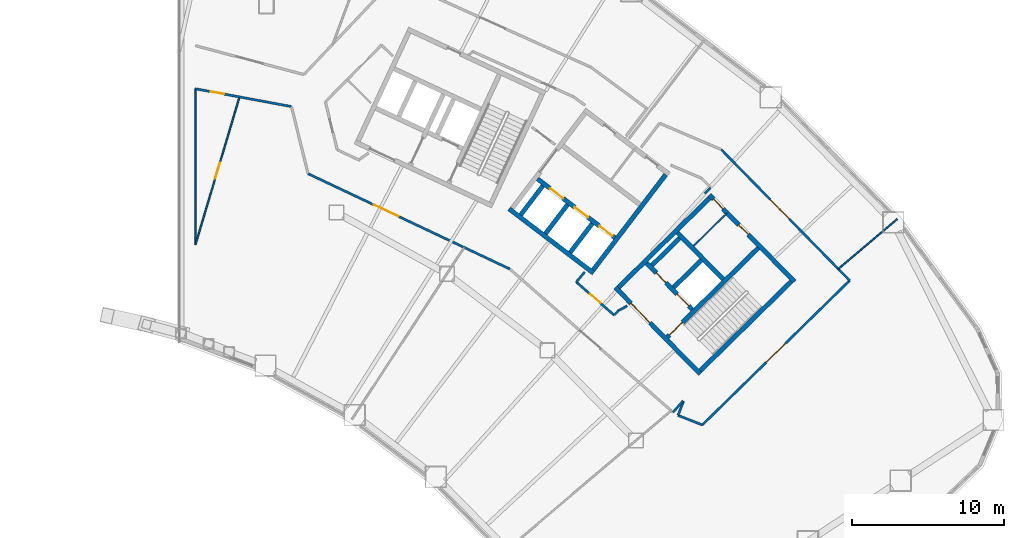
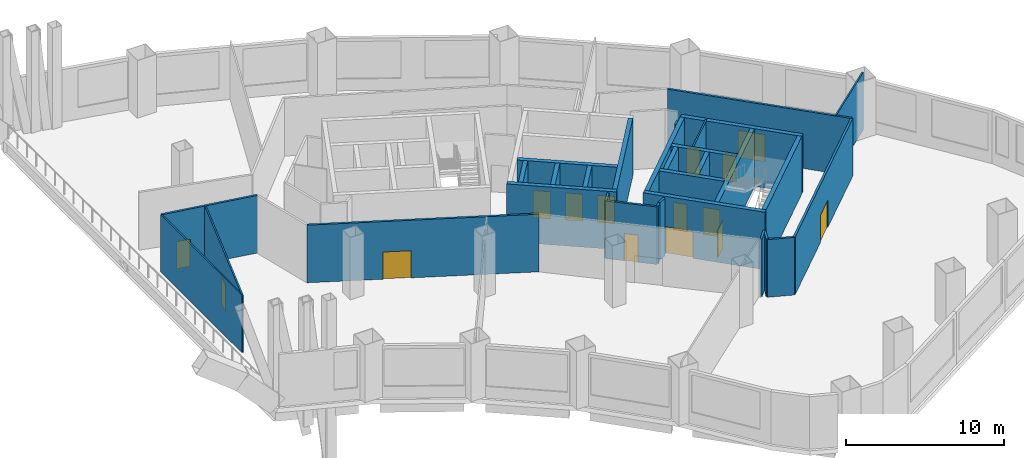
# One storey, part 9 of 14: 31 walls, 15 doors, 15 openings.
"""IFC4 building model written with IfcOpenShell, lengths in metres."""

import ifcopenshell
import ifcopenshell.guid

model = None  # the IFC model being written
_history = None  # IfcOwnerHistory: only IFC2X3 demands one
_inside = {}  # id of a spatial element -> (the spatial element, [elements in it])
_under = {}  # id of a project, library or spatial element -> (it, [spatial elements below it])
_declared = {}  # id of a project -> (the project, [libraries it declares])
_typed = {}  # id of a type object -> (the type object, [elements of that type])
_made_of = {}  # id of a material, layer set ... -> (it, [elements and type objects made of it])


def new_model(schema):
    """Start an empty IFC model of exactly this schema.

    Asked for "IFC4X3", IfcOpenShell would pick the latest addendum, in which some entities
    have other attributes; the version numbers below select the first issue.
    IFC2X3 requires an IfcOwnerHistory on every rooted entity: one is made here for all.
    """
    global model, _history
    if schema == "IFC4X3":
        model = ifcopenshell.file(schema_version=(4, 3, 0, 0))
    else:
        model = ifcopenshell.file(schema=schema)
    _inside.clear()
    _under.clear()
    _declared.clear()
    _typed.clear()
    _made_of.clear()
    _history = None
    if model.schema == "IFC2X3":
        org = make("IfcOrganization", Name="unknown")
        user = make(
            "IfcPersonAndOrganization",
            ThePerson=make("IfcPerson", FamilyName="unknown"),
            TheOrganization=org,
        )
        app = make(
            "IfcApplication",
            ApplicationDeveloper=org,
            Version="unknown",
            ApplicationFullName="unknown",
            ApplicationIdentifier="unknown",
        )
        _history = make(
            "IfcOwnerHistory",
            OwningUser=user,
            OwningApplication=app,
            ChangeAction="ADDED",
            CreationDate=0,
        )
    return model


def make(cls, **values):
    """One entity of the class cls with the attributes given. An attribute that is None is left unset."""
    return model.create_entity(
        cls, **{name: value for name, value in values.items() if value is not None}
    )


def rooted(cls, **values):
    """An entity with a GlobalId (a new one), such as an element, a storey or a relation."""
    return make(cls, GlobalId=ifcopenshell.guid.new(), OwnerHistory=_history, **values)


def si_unit(unit_type, name, prefix=None):
    """IfcSIUnit, for example si_unit("LENGTHUNIT", "METRE", prefix="MILLI")."""
    return make("IfcSIUnit", UnitType=unit_type, Prefix=prefix, Name=name)


def assignment(units):
    """IfcUnitAssignment: the units of a project."""
    return None if units is None else make("IfcUnitAssignment", Units=units)


def point(xyz):
    """IfcCartesianPoint."""
    return None if xyz is None else make("IfcCartesianPoint", Coordinates=xyz)


def direction(xyz):
    """IfcDirection."""
    return None if xyz is None else make("IfcDirection", DirectionRatios=xyz)


def frame(location, z_axis=None, x_axis=None):
    """IfcAxis2Placement3D, a coordinate frame: its origin and axes. An axis left out is left unset."""
    return make(
        "IfcAxis2Placement3D",
        Location=point(location),
        Axis=direction(z_axis),
        RefDirection=direction(x_axis),
    )


def frame_2d(location, x_axis=None):
    """IfcAxis2Placement2D, a coordinate frame in the plane: its origin and x axis."""
    return make(
        "IfcAxis2Placement2D", Location=point(location), RefDirection=direction(x_axis)
    )


def origin():
    """The frame at (0, 0, 0) with its axes left unset."""
    return frame((0.0, 0.0, 0.0))


def place(relative_to, where):
    """IfcLocalPlacement: puts the frame where relative to a parent placement (None: the world)."""
    return make(
        "IfcLocalPlacement", PlacementRelTo=relative_to, RelativePlacement=where
    )


def context(
    kind, dimensions, precision=None, world=None, true_north=None, identifier=None
):
    """IfcGeometricRepresentationContext, for example the 3D "Model" context."""
    return make(
        "IfcGeometricRepresentationContext",
        ContextIdentifier=identifier,
        ContextType=kind,
        CoordinateSpaceDimension=dimensions,
        Precision=precision,
        WorldCoordinateSystem=world,
        TrueNorth=true_north,
    )


def subcontext(parent, identifier, kind, view, scale=None):
    """IfcGeometricRepresentationSubContext, for example "Body" below "Model"."""
    return make(
        "IfcGeometricRepresentationSubContext",
        ContextIdentifier=identifier,
        ContextType=kind,
        ParentContext=parent,
        TargetScale=scale,
        TargetView=view,
    )


def project(units=None, contexts=None):
    """IfcProject with its units and contexts."""
    return rooted(
        "IfcProject",
        Name="project",
        RepresentationContexts=contexts,
        UnitsInContext=assignment(units),
    )


def spatial(cls, under=None, at=None, **own):
    """A site, building, storey or space (cls), placed at a placement, below another one or the project."""
    s = rooted(cls, ObjectPlacement=at, **own)
    if under is not None:
        _under.setdefault(under.id(), (under, []))[1].append(s)
    return s


def profile(cls, at=None, kind="AREA", **sizes):
    """A parametric profile (cls). Its sizes go by their IFC names, for example OverallWidth=200.0."""
    return make(cls, ProfileType=kind, Position=at, **sizes)


def rectangle(**sizes):
    """IfcRectangleProfileDef."""
    return profile("IfcRectangleProfileDef", **sizes)


def extrude(swept, where, along, depth):
    """IfcExtrudedAreaSolid: the profile swept, set in the frame where, extruded along a direction by depth."""
    return make(
        "IfcExtrudedAreaSolid",
        SweptArea=swept,
        Position=where,
        ExtrudedDirection=direction(along),
        Depth=depth,
    )


def shape(context_of_items, identifier, shape_type, items):
    """IfcShapeRepresentation: the items that make up one representation, for example the "Body"."""
    return make(
        "IfcShapeRepresentation",
        ContextOfItems=context_of_items,
        RepresentationIdentifier=identifier,
        RepresentationType=shape_type,
        Items=items,
    )


def material(Name=None, Category=None):
    """IfcMaterial."""
    return make("IfcMaterial", Name=Name, Category=Category)


def layer(
    of_material, thickness, ventilated=None, Name=None, Category=None, Priority=None
):
    """IfcMaterialLayer: one layer of a wall or slab, of a material (None: an air gap)."""
    return make(
        "IfcMaterialLayer",
        Material=of_material,
        LayerThickness=thickness,
        IsVentilated=ventilated,
        Name=Name,
        Category=Category,
        Priority=Priority,
    )


def layer_set(layers, Name=None):
    """IfcMaterialLayerSet."""
    return make("IfcMaterialLayerSet", MaterialLayers=layers, LayerSetName=Name)


def made_of(thing, what):
    """Note that an element or type object is made of a material, layer set ...; save() writes the relation."""
    if what is not None:
        _made_of.setdefault(what.id(), (what, []))[1].append(thing)
    return thing


def type_object(cls, material=None, **own):
    """A type object (cls), such as IfcWallType, which elements share."""
    return made_of(rooted(cls, **own), material)


def element(
    cls,
    number,
    at=None,
    inside=None,
    cuts=None,
    type_object=None,
    material=None,
    context=None,
    identifier="Body",
    shape_type=None,
    held_by="IfcProductDefinitionShape",
    body=None,
    shapes=None,
    **own,
):
    """One element of the class cls, such as IfcWall. Its Tag is "e" and its number.

    at: its placement. inside: the storey or other place that contains it. cuts: it is an
    opening in that element (IfcRelVoidsElement). A single representation is given by context,
    identifier, shape_type and body (its items); several are given by shapes. held_by: the class
    of the entity that holds the representations. save() writes the other relations.
    """
    e = rooted(cls, Tag="e%d" % number, ObjectPlacement=at, **own)
    if body is not None:
        shapes = [shape(context, identifier, shape_type, body)]
    if shapes is not None:
        e.Representation = make(held_by, Representations=shapes)
    if inside is not None:
        _inside.setdefault(inside.id(), (inside, []))[1].append(e)
    if cuts is not None:
        rooted(
            "IfcRelVoidsElement", RelatingBuildingElement=cuts, RelatedOpeningElement=e
        )
    if type_object is not None:
        _typed.setdefault(type_object.id(), (type_object, []))[1].append(e)
    return made_of(e, material)


def fill(opening, filler):
    """IfcRelFillsElement: the door or window that sits in an opening."""
    return rooted(
        "IfcRelFillsElement",
        RelatingOpeningElement=opening,
        RelatedBuildingElement=filler,
    )


def aggregate(whole, parts):
    """IfcRelAggregates: a whole, such as a stair, and the parts it consists of."""
    return rooted("IfcRelAggregates", RelatingObject=whole, RelatedObjects=parts)


def save(model, path):
    """Write the relations noted so far, then the file.

    IfcRelAggregates (storeys below a building ...), IfcRelContainedInSpatialStructure (elements
    in a storey), IfcRelDefinesByType, IfcRelAssociatesMaterial and IfcRelDeclares: one each for
    every whole, place, type object, material and project.
    """
    for whole, parts in _under.values():
        aggregate(whole, parts)
    for where, things in _inside.values():
        rooted(
            "IfcRelContainedInSpatialStructure",
            RelatedElements=things,
            RelatingStructure=where,
        )
    for kind, things in _typed.values():
        rooted("IfcRelDefinesByType", RelatedObjects=things, RelatingType=kind)
    for what, things in _made_of.values():
        rooted("IfcRelAssociatesMaterial", RelatedObjects=things, RelatingMaterial=what)
    for by, libraries in _declared.values():
        rooted("IfcRelDeclares", RelatingContext=by, RelatedDefinitions=libraries)
    model.write(path)


model = new_model("IFC4")

# Units and contexts
model_context = context("Model", 3, precision=1e-05, world=origin(), true_north=direction((0.0, 1.0)))
body_context = subcontext(model_context, "Body", "Model", "MODEL_VIEW")
ifc_project = project(units=[si_unit("LENGTHUNIT", "METRE"), si_unit("AREAUNIT", "SQUARE_METRE"), si_unit("VOLUMEUNIT", "CUBIC_METRE"), si_unit("PLANEANGLEUNIT", "RADIAN"), si_unit("MASSUNIT", "GRAM", prefix="KILO")], contexts=[model_context])

# Site, building, storey
site_placement = place(None, origin())
site = spatial("IfcSite", under=ifc_project, at=site_placement, CompositionType="ELEMENT")
building_placement = place(site_placement, origin())
building = spatial("IfcBuilding", under=site, at=building_placement, Name="Tuul Gate Civic Tower", CompositionType="ELEMENT")
storey_placement = place(building_placement, frame((0.0, 0.0, 17.10009765625)))
storey = spatial("IfcBuildingStorey", under=building, at=storey_placement, Name="Level 03", CompositionType="ELEMENT", Elevation=17.10009765625)

# Wall, opening, door
ifc_material_1 = material(Name="Concrete C50/60", Category="concrete")
ifc_layer_1 = layer(ifc_material_1, 0.300048828125)
ifc_layer_set_1 = layer_set([ifc_layer_1], Name="Concrete C50/60")
wall_type_1 = type_object("IfcWallType", Name="Core wall C50/60", PredefinedType="SHEAR", material=ifc_layer_set_1)
wall_1_placement = place(storey_placement, frame((48.22509765625, -18.327880859375, 0.0), z_axis=(0.0, 0.0, 1.0), x_axis=(-0.700021979774, 0.714121297703, 0.0)))
wall_1 = element("IfcWall", 1, at=wall_1_placement, inside=storey, type_object=wall_type_1, Name="Core wall", PredefinedType="SHEAR", context=body_context, shape_type="SweptSolid", body=[
    extrude(rectangle(XDim=8.0, YDim=0.300048828125, at=frame_2d((4.0, 0.0))), origin(), (0.0, 0.0, 1.0), 4.449951171875),
])
opening_1_placement = place(wall_1_placement, frame((4.72509765625, 0.0, 0.0)))
opening_1 = element("IfcOpeningElement", 2, at=opening_1_placement, cuts=wall_1, Name="Opening LB-E1-LOBBY-1", PredefinedType="OPENING", context=body_context, shape_type="SweptSolid", body=[
    extrude(rectangle(XDim=1.800048828125, YDim=2.10009765625, at=frame_2d((0.89990234375, 1.050048828125))), frame((0.0, 0.16015625, 0.0), z_axis=(0.0, -1.0, 0.0), x_axis=(1.0, 0.0, 0.0)), (0.0, 0.0, 1.0), 0.320068359375),
])
ifc_material_2 = material(Name="Steel", Category="steel")
door_type_1 = type_object("IfcDoorType", Name="Lobby door", OperationType="DOUBLE_DOOR_SINGLE_SWING", PredefinedType="DOOR", material=ifc_material_2)
door_1_placement = place(opening_1_placement, frame((1.800048828125, 0.0, 0.0), z_axis=(0.0, 0.0, 1.0), x_axis=(-1.0, 0.0, 0.0)))
door_1 = element("IfcDoor", 3, at=door_1_placement, inside=storey, type_object=door_type_1, Name="Lobby door E1-LOBBY", OperationType="DOUBLE_DOOR_SINGLE_SWING", OverallHeight=2.10009765625, OverallWidth=1.800048828125, PredefinedType="DOOR", context=body_context, shape_type="SweptSolid", body=[
    extrude(rectangle(XDim=1.800048828125, YDim=2.10009765625, at=frame_2d((0.900146484375, 1.050048828125))), frame((0.0, 0.02490234375, 0.0), z_axis=(0.0, -1.0, 0.0), x_axis=(1.0, 0.0, 0.0)), (0.0, 0.0, 1.0), 0.050048828125),
])
fill(opening_1, door_1)

# Wall, openings, doors
wall_2_placement = place(storey_placement, frame((47.701904296875, -14.079833984375, 0.0), z_axis=(0.0, 0.0, 1.0), x_axis=(-0.700002721075, 0.714140175657, 0.0)))
wall_2 = element("IfcWall", 4, at=wall_2_placement, inside=storey, type_object=wall_type_1, Name="Core wall", PredefinedType="SHEAR", context=body_context, shape_type="SweptSolid", body=[
    extrude(rectangle(XDim=4.300048828125, YDim=0.300048828125, at=frame_2d((2.14990234375, 0.0))), origin(), (0.0, 0.0, 1.0), 4.449951171875),
])
opening_2_placement = place(wall_2_placement, frame((0.324951171875, 0.0, 0.0)))
opening_2 = element("IfcOpeningElement", 5, at=opening_2_placement, cuts=wall_2, Name="Opening LD-L4", PredefinedType="OPENING", context=body_context, shape_type="SweptSolid", body=[
    extrude(rectangle(XDim=1.10009765625, YDim=2.10009765625, at=frame_2d((0.550048828125, 1.050048828125))), frame((0.0, 0.16015625, 0.0), z_axis=(0.0, -1.0, 0.0), x_axis=(1.0, 0.0, 0.0)), (0.0, 0.0, 1.0), 0.320068359375),
])
opening_3_placement = place(wall_2_placement, frame((2.47509765625, 0.0, 0.0)))
opening_3 = element("IfcOpeningElement", 6, at=opening_3_placement, cuts=wall_2, Name="Opening FB-E1A2", PredefinedType="OPENING", context=body_context, shape_type="SweptSolid", body=[
    extrude(rectangle(XDim=0.89990234375, YDim=2.10009765625, at=frame_2d((0.449951171875, 1.050048828125))), frame((0.0, 0.16015625, 0.0), z_axis=(0.0, -1.0, 0.0), x_axis=(1.0, 0.0, 0.0)), (0.0, 0.0, 1.0), 0.320068359375),
])
ifc_material_3 = material(Name="Stainless steel", Category="steel")
door_type_2 = type_object("IfcDoorType", Name="Landing door", OperationType="DOUBLE_DOOR_SLIDING", PredefinedType="DOOR", material=ifc_material_3)
door_2_placement = place(opening_2_placement, origin())
door_2 = element("IfcDoor", 7, at=door_2_placement, inside=storey, type_object=door_type_2, Name="Low-rise lift L4 landing door", OperationType="DOUBLE_DOOR_SLIDING", OverallHeight=2.10009765625, OverallWidth=1.10009765625, PredefinedType="DOOR", context=body_context, shape_type="SweptSolid", body=[
    extrude(rectangle(XDim=1.10009765625, YDim=2.10009765625, at=frame_2d((0.550048828125, 1.050048828125))), frame((0.0, 0.02490234375, 0.0), z_axis=(0.0, -1.0, 0.0), x_axis=(1.0, 0.0, 0.0)), (0.0, 0.0, 1.0), 0.050048828125),
])
fill(opening_2, door_2)
ifc_material_4 = material(Name="Steel", Category="steel")
door_type_3 = type_object("IfcDoorType", Name="Store door", OperationType="NOTDEFINED", PredefinedType="DOOR", material=ifc_material_4)
door_3_placement = place(opening_3_placement, frame((0.89990234375, 0.0, 0.0), z_axis=(0.0, 0.0, 1.0), x_axis=(-1.0, 0.0, 0.0)))
door_3 = element("IfcDoor", 8, at=door_3_placement, inside=storey, type_object=door_type_3, Name="Store door E1A2", OperationType="SINGLE_SWING_LEFT", OverallHeight=2.10009765625, OverallWidth=0.89990234375, PredefinedType="DOOR", context=body_context, shape_type="SweptSolid", body=[
    extrude(rectangle(XDim=0.89990234375, YDim=2.10009765625, at=frame_2d((0.449951171875, 1.050048828125))), frame((0.0, 0.02490234375, 0.0), z_axis=(0.0, -1.0, 0.0), x_axis=(1.0, 0.0, 0.0)), (0.0, 0.0, 1.0), 0.050048828125),
])
fill(opening_3, door_3)

# Wall
wall_3_placement = place(storey_placement, frame((49.737060546875, -12.0849609375, 0.0), z_axis=(0.0, 0.0, 1.0), x_axis=(-0.700002721075, 0.714140175657, 0.0)))
element("IfcWall", 9, at=wall_3_placement, inside=storey, type_object=wall_type_1, Name="Core wall", PredefinedType="SHEAR", context=body_context, shape_type="SweptSolid", body=[
    extrude(rectangle(XDim=4.300048828125, YDim=0.300048828125, at=frame_2d((2.14990234375, 0.0))), origin(), (0.0, 0.0, 1.0), 4.449951171875),
])

# Wall, openings, doors
wall_4_placement = place(storey_placement, frame((54.43798828125, -12.23779296875, 0.0), z_axis=(0.0, 0.0, 1.0), x_axis=(-0.700021979774, 0.714121297703, 0.0)))
wall_4 = element("IfcWall", 10, at=wall_4_placement, inside=storey, type_object=wall_type_1, Name="Core wall", PredefinedType="SHEAR", context=body_context, shape_type="SweptSolid", body=[
    extrude(rectangle(XDim=8.0, YDim=0.300048828125, at=frame_2d((4.0, 0.0))), origin(), (0.0, 0.0, 1.0), 4.449951171875),
])
opening_4_placement = place(wall_4_placement, frame((4.34375, 0.0, 0.0)))
opening_4 = element("IfcOpeningElement", 11, at=opening_4_placement, cuts=wall_4, Name="Opening QC-D24", PredefinedType="OPENING", context=body_context, shape_type="SweptSolid", body=[
    extrude(rectangle(XDim=0.89990234375, YDim=2.10009765625, at=frame_2d((0.449951171875, 1.050048828125))), frame((0.0, 0.16015625, 0.0), z_axis=(0.0, -1.0, 0.0), x_axis=(1.0, 0.0, 0.0)), (0.0, 0.0, 1.0), 0.320068359375),
])
opening_5_placement = place(wall_4_placement, frame((6.71875, 0.0, 0.0)))
opening_5 = element("IfcOpeningElement", 12, at=opening_5_placement, cuts=wall_4, Name="Opening QC-D25", PredefinedType="OPENING", context=body_context, shape_type="SweptSolid", body=[
    extrude(rectangle(XDim=0.89990234375, YDim=2.10009765625, at=frame_2d((0.449951171875, 1.050048828125))), frame((0.0, 0.16015625, 0.0), z_axis=(0.0, -1.0, 0.0), x_axis=(1.0, 0.0, 0.0)), (0.0, 0.0, 1.0), 0.320068359375),
])
ifc_material_5 = material(Name="Timber door leaf", Category="wood")
door_type_4 = type_object("IfcDoorType", Name="Door D09", OperationType="NOTDEFINED", PredefinedType="DOOR", material=ifc_material_5)
door_4_placement = place(opening_4_placement, origin())
door_4 = element("IfcDoor", 13, at=door_4_placement, inside=storey, type_object=door_type_4, Name="Door QC-D24", OperationType="SINGLE_SWING_LEFT", OverallHeight=2.10009765625, OverallWidth=0.89990234375, PredefinedType="DOOR", context=body_context, shape_type="SweptSolid", body=[
    extrude(rectangle(XDim=0.89990234375, YDim=2.10009765625, at=frame_2d((0.449951171875, 1.050048828125))), frame((0.0, 0.02490234375, 0.0), z_axis=(0.0, -1.0, 0.0), x_axis=(1.0, 0.0, 0.0)), (0.0, 0.0, 1.0), 0.050048828125),
])
fill(opening_4, door_4)
door_5_placement = place(opening_5_placement, origin())
door_5 = element("IfcDoor", 14, at=door_5_placement, inside=storey, type_object=door_type_4, Name="Door QC-D25", OperationType="SINGLE_SWING_LEFT", OverallHeight=2.10009765625, OverallWidth=0.89990234375, PredefinedType="DOOR", context=body_context, shape_type="SweptSolid", body=[
    extrude(rectangle(XDim=0.89990234375, YDim=2.10009765625, at=frame_2d((0.449951171875, 1.050048828125))), frame((0.0, 0.02490234375, 0.0), z_axis=(0.0, -1.0, 0.0), x_axis=(1.0, 0.0, 0.0)), (0.0, 0.0, 1.0), 0.050048828125),
])
fill(opening_5, door_5)

# Wall
wall_5_placement = place(storey_placement, frame((48.227294921875, -18.115966796875, 0.0), z_axis=(0.0, 0.0, 1.0), x_axis=(0.714105315431, 0.700038283577, 0.0)))
element("IfcWall", 15, at=wall_5_placement, inside=storey, type_object=wall_type_1, Name="Core wall", PredefinedType="SHEAR", context=body_context, shape_type="SweptSolid", body=[
    extrude(rectangle(XDim=8.400146484375, YDim=0.300048828125, at=frame_2d((4.2001953125, 0.0))), origin(), (0.0, 0.0, 1.0), 4.449951171875),
])

# Wall, opening, door
wall_6_placement = place(storey_placement, frame((46.05712890625, -15.902099609375, 0.0), z_axis=(0.0, 0.0, 1.0), x_axis=(0.714134086973, 0.700008932674, 0.0)))
wall_6 = element("IfcWall", 16, at=wall_6_placement, inside=storey, type_object=wall_type_1, Name="Core wall", PredefinedType="SHEAR", context=body_context, shape_type="SweptSolid", body=[
    extrude(rectangle(XDim=8.400146484375, YDim=0.300048828125, at=frame_2d((4.2001953125, 0.0))), origin(), (0.0, 0.0, 1.0), 4.449951171875),
])
opening_6_placement = place(wall_6_placement, frame((0.199951171875, 0.0, 0.0)))
opening_6 = element("IfcOpeningElement", 17, at=opening_6_placement, cuts=wall_6, Name="Opening SD-ST-3", PredefinedType="OPENING", context=body_context, shape_type="SweptSolid", body=[
    extrude(rectangle(XDim=1.199951171875, YDim=2.10009765625, at=frame_2d((0.60009765625, 1.050048828125))), frame((0.0, 0.16015625, 0.0), z_axis=(0.0, -1.0, 0.0), x_axis=(1.0, 0.0, 0.0)), (0.0, 0.0, 1.0), 0.320068359375),
])
ifc_material_6 = material(Name="Steel", Category="steel")
door_type_5 = type_object("IfcDoorType", Name="Stair door", OperationType="NOTDEFINED", PredefinedType="DOOR", material=ifc_material_6)
door_6_placement = place(opening_6_placement, origin())
door_6 = element("IfcDoor", 18, at=door_6_placement, inside=storey, type_object=door_type_5, Name="Stair door ST-3", OperationType="SINGLE_SWING_LEFT", OverallHeight=2.10009765625, OverallWidth=1.199951171875, PredefinedType="DOOR", context=body_context, shape_type="SweptSolid", body=[
    extrude(rectangle(XDim=1.199951171875, YDim=2.10009765625, at=frame_2d((0.60009765625, 1.050048828125))), frame((0.0, 0.02490234375, 0.0), z_axis=(0.0, -1.0, 0.0), x_axis=(1.0, 0.0, 0.0)), (0.0, 0.0, 1.0), 0.050048828125),
])
fill(opening_6, door_6)

# Walls
wall_7_placement = place(storey_placement, frame((46.47900390625, -12.617919921875, 0.0), z_axis=(0.0, 0.0, 1.0), x_axis=(0.71410944159, 0.700034074479, 0.0)))
element("IfcWall", 19, at=wall_7_placement, inside=storey, type_object=wall_type_1, Name="Core wall", PredefinedType="SHEAR", context=body_context, shape_type="SweptSolid", body=[
    extrude(rectangle(XDim=2.5498046875, YDim=0.300048828125, at=frame_2d((1.27490234375, 0.0))), origin(), (0.0, 0.0, 1.0), 4.449951171875),
])
wall_8_placement = place(storey_placement, frame((45.0439453125, -11.154052734375, 0.0), z_axis=(0.0, 0.0, 1.0), x_axis=(0.714108498262, 0.700035036773, 0.0)))
element("IfcWall", 20, at=wall_8_placement, inside=storey, type_object=wall_type_1, Name="Core wall", PredefinedType="SHEAR", context=body_context, shape_type="SweptSolid", body=[
    extrude(rectangle(XDim=2.550048828125, YDim=0.300048828125, at=frame_2d((1.27490234375, 0.0))), origin(), (0.0, 0.0, 1.0), 4.449951171875),
])
wall_9_placement = place(storey_placement, frame((42.837158203125, -12.616943359375, 0.0), z_axis=(0.0, 0.0, 1.0), x_axis=(0.714119844755, 0.700023461983, 0.0)))
element("IfcWall", 21, at=wall_9_placement, inside=storey, type_object=wall_type_1, Name="Core wall", PredefinedType="SHEAR", context=body_context, shape_type="SweptSolid", body=[
    extrude(rectangle(XDim=8.39990234375, YDim=0.300048828125, at=frame_2d((4.199951171875, 0.0))), origin(), (0.0, 0.0, 1.0), 4.449951171875),
])

# Wall, opening, door
ifc_material_7 = material(Name="Gypsum board partition")
ifc_layer_2 = layer(ifc_material_7, 0.14990234375)
ifc_layer_set_2 = layer_set([ifc_layer_2], Name="Gypsum board partition")
wall_type_2 = type_object("IfcWallType", Name="Corridor wall P150", PredefinedType="PARTITIONING", material=ifc_layer_set_2)
wall_10_placement = place(storey_placement, frame((49.612060546875, -3.529052734375, 0.0), z_axis=(0.0, 0.0, 1.0), x_axis=(0.699997351092, -0.714145439294, 0.0)))
wall_10 = element("IfcWall", 22, at=wall_10_placement, inside=storey, type_object=wall_type_2, Name="p004", PredefinedType="PARTITIONING", context=body_context, shape_type="SweptSolid", body=[
    extrude(rectangle(XDim=12.096435546875, YDim=0.14990234375, at=frame_2d((6.04833984375, 0.0))), origin(), (0.0, 0.0, 1.0), 4.449951171875),
])
opening_7_placement = place(wall_10_placement, frame((4.61376953125, 0.0, 0.0)))
opening_7 = element("IfcOpeningElement", 23, at=opening_7_placement, cuts=wall_10, Name="Opening QC-D01", PredefinedType="OPENING", context=body_context, shape_type="SweptSolid", body=[
    extrude(rectangle(XDim=1.800048828125, YDim=2.10009765625, at=frame_2d((0.89990234375, 1.050048828125))), frame((0.0, 0.0849609375, 0.0), z_axis=(0.0, -1.0, 0.0), x_axis=(1.0, 0.0, 0.0)), (0.0, 0.0, 1.0), 0.169921875),
])
ifc_material_8 = material(Name="Timber door leaf, double", Category="wood")
door_type_6 = type_object("IfcDoorType", Name="Door D18", OperationType="DOUBLE_DOOR_SINGLE_SWING", PredefinedType="DOOR", material=ifc_material_8)
door_7_placement = place(opening_7_placement, origin())
door_7 = element("IfcDoor", 24, at=door_7_placement, inside=storey, type_object=door_type_6, Name="Door QC-D01", OperationType="DOUBLE_DOOR_SINGLE_SWING", OverallHeight=2.10009765625, OverallWidth=1.800048828125, PredefinedType="DOOR", context=body_context, shape_type="SweptSolid", body=[
    extrude(rectangle(XDim=1.800048828125, YDim=2.10009765625, at=frame_2d((0.89990234375, 1.050048828125))), frame((0.0, 0.02490234375, 0.0), z_axis=(0.0, -1.0, 0.0), x_axis=(1.0, 0.0, 0.0)), (0.0, 0.0, 1.0), 0.050048828125),
])
fill(opening_7, door_7)

wall_11_placement = place(storey_placement, frame((22.361572265625, -5.12158203125, 0.0), z_axis=(0.0, 0.0, 1.0), x_axis=(0.904202901797, -0.42710316363, 0.0)))
wall_11 = element("IfcWall", 25, at=wall_11_placement, inside=storey, type_object=wall_type_2, Name="p025", PredefinedType="PARTITIONING", context=body_context, shape_type="SweptSolid", body=[
    extrude(rectangle(XDim=14.712890625, YDim=0.14990234375, at=frame_2d((7.3564453125, 0.0))), origin(), (0.0, 0.0, 1.0), 4.449951171875),
])
opening_8_placement = place(wall_11_placement, frame((4.79345703125, 0.0, 0.0)))
opening_8 = element("IfcOpeningElement", 26, at=opening_8_placement, cuts=wall_11, Name="Opening QC-D08", PredefinedType="OPENING", context=body_context, shape_type="SweptSolid", body=[
    extrude(rectangle(XDim=1.800048828125, YDim=2.10009765625, at=frame_2d((0.89990234375, 1.050048828125))), frame((0.0, 0.0849609375, 0.0), z_axis=(0.0, -1.0, 0.0), x_axis=(1.0, 0.0, 0.0)), (0.0, 0.0, 1.0), 0.169921875),
])
door_8_placement = place(opening_8_placement, frame((1.800048828125, 0.0, 0.0), z_axis=(0.0, 0.0, 1.0), x_axis=(-1.0, 0.0, 0.0)))
door_8 = element("IfcDoor", 27, at=door_8_placement, inside=storey, type_object=door_type_6, Name="Door QC-D08", OperationType="DOUBLE_DOOR_SINGLE_SWING", OverallHeight=2.10009765625, OverallWidth=1.800048828125, PredefinedType="DOOR", context=body_context, shape_type="SweptSolid", body=[
    extrude(rectangle(XDim=1.800048828125, YDim=2.10009765625, at=frame_2d((0.900146484375, 1.050048828125))), frame((0.0, 0.02490234375, 0.0), z_axis=(0.0, -1.0, 0.0), x_axis=(1.0, 0.0, 0.0)), (0.0, 0.0, 1.0), 0.050048828125),
])
fill(opening_8, door_8)

wall_12_placement = place(storey_placement, frame((14.939697265625, 0.4794921875, 0.0), z_axis=(0.0, 0.0, 1.0), x_axis=(0.983221189703, -0.182417356954, 0.0)))
wall_12 = element("IfcWall", 28, at=wall_12_placement, inside=storey, type_object=wall_type_2, Name="p028", PredefinedType="PARTITIONING", context=body_context, shape_type="SweptSolid", body=[
    extrude(rectangle(XDim=6.42138671875, YDim=0.14990234375, at=frame_2d((3.210693359375, 0.0))), origin(), (0.0, 0.0, 1.0), 4.449951171875),
])
opening_9_placement = place(wall_12_placement, frame((1.023193359375, 0.0, 0.0)))
opening_9 = element("IfcOpeningElement", 29, at=opening_9_placement, cuts=wall_12, Name="Opening QC-D09", PredefinedType="OPENING", context=body_context, shape_type="SweptSolid", body=[
    extrude(rectangle(XDim=0.89990234375, YDim=2.10009765625, at=frame_2d((0.449951171875, 1.050048828125))), frame((0.0, 0.0849609375, 0.0), z_axis=(0.0, -1.0, 0.0), x_axis=(1.0, 0.0, 0.0)), (0.0, 0.0, 1.0), 0.169921875),
])
door_9_placement = place(opening_9_placement, frame((0.89990234375, 0.0, 0.0), z_axis=(0.0, 0.0, 1.0), x_axis=(-1.0, 0.0, 0.0)))
door_9 = element("IfcDoor", 30, at=door_9_placement, inside=storey, type_object=door_type_4, Name="Door QC-D09", OperationType="SINGLE_SWING_LEFT", OverallHeight=2.10009765625, OverallWidth=0.89990234375, PredefinedType="DOOR", context=body_context, shape_type="SweptSolid", body=[
    extrude(rectangle(XDim=0.89990234375, YDim=2.10009765625, at=frame_2d((0.449951171875, 1.050048828125))), frame((0.0, 0.02490234375, 0.0), z_axis=(0.0, -1.0, 0.0), x_axis=(1.0, 0.0, 0.0)), (0.0, 0.0, 1.0), 0.050048828125),
])
fill(opening_9, door_9)

# Walls
wall_13_placement = place(storey_placement, frame((46.43310546875, -20.85791015625, 0.0), z_axis=(0.0, 0.0, 1.0), x_axis=(0.659754507125, 0.751481197588, 0.0)))
element("IfcWall", 31, at=wall_13_placement, inside=storey, type_object=wall_type_2, Name="p041", PredefinedType="PARTITIONING", context=body_context, shape_type="SweptSolid", body=[
    extrude(rectangle(XDim=1.0087890625, YDim=0.14990234375, at=frame_2d((0.50439453125, 0.0))), origin(), (0.0, 0.0, 1.0), 4.449951171875),
])
wall_14_placement = place(storey_placement, frame((46.76220703125, -21.05859375, 0.0), z_axis=(0.0, 0.0, 1.0), x_axis=(0.367045256874, 0.930203085034, 0.0)))
element("IfcWall", 32, at=wall_14_placement, inside=storey, type_object=wall_type_2, Name="p042", PredefinedType="PARTITIONING", context=body_context, shape_type="SweptSolid", body=[
    extrude(rectangle(XDim=1.00830078125, YDim=0.14990234375, at=frame_2d((0.504150390625, 0.0))), origin(), (0.0, 0.0, 1.0), 4.449951171875),
])
wall_15_placement = place(storey_placement, frame((46.7626953125, -21.059814453125, 0.0), z_axis=(0.0, 0.0, 1.0), x_axis=(0.930255885732, -0.366911415824, 0.0)))
element("IfcWall", 33, at=wall_15_placement, inside=storey, type_object=wall_type_2, Name="p043", PredefinedType="PARTITIONING", context=body_context, shape_type="SweptSolid", body=[
    extrude(rectangle(XDim=1.721435546875, YDim=0.14990234375, at=frame_2d((0.86083984375, 0.0))), origin(), (0.0, 0.0, 1.0), 4.449951171875),
])

# Wall, opening, door
wall_16_placement = place(storey_placement, frame((48.365478515625, -21.69140625, 0.0), z_axis=(0.0, 0.0, 1.0), x_axis=(0.714116114626, 0.700027267206, 0.0)))
wall_16 = element("IfcWall", 34, at=wall_16_placement, inside=storey, type_object=wall_type_2, Name="p044", PredefinedType="PARTITIONING", context=body_context, shape_type="SweptSolid", body=[
    extrude(rectangle(XDim=13.60302734375, YDim=0.14990234375, at=frame_2d((6.801513671875, 0.0))), origin(), (0.0, 0.0, 1.0), 4.449951171875),
])
opening_10_placement = place(wall_16_placement, frame((5.901611328125, 0.0, 0.0)))
opening_10 = element("IfcOpeningElement", 35, at=opening_10_placement, cuts=wall_16, Name="Opening QC-D12", PredefinedType="OPENING", context=body_context, shape_type="SweptSolid", body=[
    extrude(rectangle(XDim=1.800048828125, YDim=2.10009765625, at=frame_2d((0.89990234375, 1.050048828125))), frame((0.0, 0.0849609375, 0.0), z_axis=(0.0, -1.0, 0.0), x_axis=(1.0, 0.0, 0.0)), (0.0, 0.0, 1.0), 0.169921875),
])
door_10_placement = place(opening_10_placement, frame((1.800048828125, 0.0, 0.0), z_axis=(0.0, 0.0, 1.0), x_axis=(-1.0, 0.0, 0.0)))
door_10 = element("IfcDoor", 36, at=door_10_placement, inside=storey, type_object=door_type_6, Name="Door QC-D12", OperationType="DOUBLE_DOOR_SINGLE_SWING", OverallHeight=2.10009765625, OverallWidth=1.800048828125, PredefinedType="DOOR", context=body_context, shape_type="SweptSolid", body=[
    extrude(rectangle(XDim=1.800048828125, YDim=2.10009765625, at=frame_2d((0.900146484375, 1.050048828125))), frame((0.0, 0.02490234375, 0.0), z_axis=(0.0, -1.0, 0.0), x_axis=(1.0, 0.0, 0.0)), (0.0, 0.0, 1.0), 0.050048828125),
])
fill(opening_10, door_10)

# Wall
wall_17_placement = place(storey_placement, frame((42.564208984375, -14.44189453125, 0.0), z_axis=(0.0, 0.0, 1.0), x_axis=(0.679313462976, 0.733848226147, 0.0)))
element("IfcWall", 37, at=wall_17_placement, inside=storey, type_object=wall_type_2, Name="p051", PredefinedType="PARTITIONING", context=body_context, shape_type="SweptSolid", body=[
    extrude(rectangle(XDim=0.411865234375, YDim=0.14990234375, at=frame_2d((0.2060546875, 0.0))), origin(), (0.0, 0.0, 1.0), 4.449951171875),
])

# Wall, opening, door
wall_18_placement = place(storey_placement, frame((40.054931640625, -12.264404296875, 0.0), z_axis=(0.0, 0.0, 1.0), x_axis=(0.751467924075, -0.659769625768, 0.0)))
wall_18 = element("IfcWall", 38, at=wall_18_placement, inside=storey, type_object=wall_type_2, Name="p052", PredefinedType="PARTITIONING", context=body_context, shape_type="SweptSolid", body=[
    extrude(rectangle(XDim=3.30419921875, YDim=0.14990234375, at=frame_2d((1.652099609375, 0.0))), origin(), (0.0, 0.0, 1.0), 4.449951171875),
])
opening_11_placement = place(wall_18_placement, frame((1.2021484375, 0.0, 0.0)))
opening_11 = element("IfcOpeningElement", 39, at=opening_11_placement, cuts=wall_18, Name="Opening QC-D15", PredefinedType="OPENING", context=body_context, shape_type="SweptSolid", body=[
    extrude(rectangle(XDim=0.89990234375, YDim=2.10009765625, at=frame_2d((0.449951171875, 1.050048828125))), frame((0.0, 0.0849609375, 0.0), z_axis=(0.0, -1.0, 0.0), x_axis=(1.0, 0.0, 0.0)), (0.0, 0.0, 1.0), 0.169921875),
])
door_11_placement = place(opening_11_placement, origin())
door_11 = element("IfcDoor", 40, at=door_11_placement, inside=storey, type_object=door_type_4, Name="Door QC-D15", OperationType="SINGLE_SWING_RIGHT", OverallHeight=2.10009765625, OverallWidth=0.89990234375, PredefinedType="DOOR", context=body_context, shape_type="SweptSolid", body=[
    extrude(rectangle(XDim=0.89990234375, YDim=2.10009765625, at=frame_2d((0.449951171875, 1.050048828125))), frame((0.0, 0.02490234375, 0.0), z_axis=(0.0, -1.0, 0.0), x_axis=(1.0, 0.0, 0.0)), (0.0, 0.0, 1.0), 0.050048828125),
])
fill(opening_11, door_11)

# Walls
wall_19_placement = place(storey_placement, frame((40.054931640625, -12.264404296875, 0.0), z_axis=(0.0, 0.0, 1.0), x_axis=(0.642704011663, 0.766114582417, 0.0)))
element("IfcWall", 41, at=wall_19_placement, inside=storey, type_object=wall_type_2, Name="p053", PredefinedType="PARTITIONING", context=body_context, shape_type="SweptSolid", body=[
    extrude(rectangle(XDim=0.856689453125, YDim=0.14990234375, at=frame_2d((0.42822265625, 0.0))), origin(), (0.0, 0.0, 1.0), 4.449951171875),
])
wall_20_placement = place(storey_placement, frame((42.843994140625, -14.1396484375, 0.0), z_axis=(0.0, 0.0, 1.0), x_axis=(0.886250425373, 0.463206415678, 0.0)))
element("IfcWall", 42, at=wall_20_placement, inside=storey, type_object=wall_type_2, Name="p057", PredefinedType="PARTITIONING", context=body_context, shape_type="SweptSolid", body=[
    extrude(rectangle(XDim=0.63818359375, YDim=0.14990234375, at=frame_2d((0.319091796875, 0.0))), origin(), (0.0, 0.0, 1.0), 4.449951171875),
])
ifc_material_9 = material(Name="Gypsum board partition")
ifc_layer_3 = layer(ifc_material_9, 0.14990234375)
ifc_layer_set_3 = layer_set([ifc_layer_3], Name="Gypsum board partition")
wall_type_3 = type_object("IfcWallType", Name="Corridor wall P150 3800 HIGH", PredefinedType="PARTITIONING", material=ifc_layer_set_3)
wall_21_placement = place(storey_placement, frame((48.525390625, -6.419921875, 0.0), z_axis=(0.0, 0.0, 1.0), x_axis=(0.713991455902, 0.700154412183, 0.0)))
element("IfcWall", 43, at=wall_21_placement, inside=storey, type_object=wall_type_3, Name="p056", PredefinedType="PARTITIONING", context=body_context, shape_type="SweptSolid", body=[
    extrude(rectangle(XDim=0.529296875, YDim=0.14990234375, at=frame_2d((0.2646484375, 0.0))), origin(), (0.0, 0.0, 1.0), 3.7998046875),
])
ifc_material_10 = material(Name="Concrete C40/50", Category="concrete")
ifc_layer_4 = layer(ifc_material_10, 0.300048828125)
ifc_layer_set_4 = layer_set([ifc_layer_4], Name="Concrete C40/50")
wall_type_4 = type_object("IfcWallType", Name="Lift shaft wall C40/50", PredefinedType="STANDARD", material=ifc_layer_set_4)
wall_22_placement = place(storey_placement, frame((41.19189453125, -11.677734375, 0.0), z_axis=(0.0, 0.0, 1.0), x_axis=(-0.795563000331, 0.605870871147, 0.0)))
element("IfcWall", 44, at=wall_22_placement, inside=storey, type_object=wall_type_4, Name="Shaft wall", PredefinedType="STANDARD", context=body_context, shape_type="SweptSolid", body=[
    extrude(rectangle(XDim=7.000244140625, YDim=0.300048828125, at=frame_2d((3.5, 0.0))), origin(), (0.0, 0.0, 1.0), 4.449951171875),
])

# Wall, openings, doors
wall_23_placement = place(storey_placement, frame((42.5888671875, -9.34765625, 0.0), z_axis=(0.0, 0.0, 1.0), x_axis=(-0.795584062101, 0.605843214149, 0.0)))
wall_23 = element("IfcWall", 45, at=wall_23_placement, inside=storey, type_object=wall_type_4, Name="Shaft wall", PredefinedType="STANDARD", context=body_context, shape_type="SweptSolid", body=[
    extrude(rectangle(XDim=6.400146484375, YDim=0.300048828125, at=frame_2d((3.2001953125, 0.0))), origin(), (0.0, 0.0, 1.0), 4.449951171875),
])
opening_12_placement = place(wall_23_placement, frame((0.175048828125, 0.0, 0.0)))
opening_12 = element("IfcOpeningElement", 46, at=opening_12_placement, cuts=wall_23, Name="Opening LD-L1", PredefinedType="OPENING", context=body_context, shape_type="SweptSolid", body=[
    extrude(rectangle(XDim=1.10009765625, YDim=2.10009765625, at=frame_2d((0.550048828125, 1.050048828125))), frame((0.0, 0.16015625, 0.0), z_axis=(0.0, -1.0, 0.0), x_axis=(1.0, 0.0, 0.0)), (0.0, 0.0, 1.0), 0.320068359375),
])
opening_13_placement = place(wall_23_placement, frame((2.22509765625, 0.0, 0.0)))
opening_13 = element("IfcOpeningElement", 47, at=opening_13_placement, cuts=wall_23, Name="Opening LD-L2", PredefinedType="OPENING", context=body_context, shape_type="SweptSolid", body=[
    extrude(rectangle(XDim=1.10009765625, YDim=2.10009765625, at=frame_2d((0.550048828125, 1.050048828125))), frame((0.0, 0.16015625, 0.0), z_axis=(0.0, -1.0, 0.0), x_axis=(1.0, 0.0, 0.0)), (0.0, 0.0, 1.0), 0.320068359375),
])
opening_14_placement = place(wall_23_placement, frame((4.27490234375, 0.0, 0.0)))
opening_14 = element("IfcOpeningElement", 48, at=opening_14_placement, cuts=wall_23, Name="Opening LD-L3", PredefinedType="OPENING", context=body_context, shape_type="SweptSolid", body=[
    extrude(rectangle(XDim=1.10009765625, YDim=2.10009765625, at=frame_2d((0.550048828125, 1.050048828125))), frame((0.0, 0.16015625, 0.0), z_axis=(0.0, -1.0, 0.0), x_axis=(1.0, 0.0, 0.0)), (0.0, 0.0, 1.0), 0.320068359375),
])
door_12_placement = place(opening_12_placement, origin())
door_12 = element("IfcDoor", 49, at=door_12_placement, inside=storey, type_object=door_type_2, Name="Low-rise lift L1 landing door", OperationType="DOUBLE_DOOR_SLIDING", OverallHeight=2.10009765625, OverallWidth=1.10009765625, PredefinedType="DOOR", context=body_context, shape_type="SweptSolid", body=[
    extrude(rectangle(XDim=1.10009765625, YDim=2.10009765625, at=frame_2d((0.550048828125, 1.050048828125))), frame((0.0, 0.02490234375, 0.0), z_axis=(0.0, -1.0, 0.0), x_axis=(1.0, 0.0, 0.0)), (0.0, 0.0, 1.0), 0.050048828125),
])
fill(opening_12, door_12)
door_13_placement = place(opening_13_placement, origin())
door_13 = element("IfcDoor", 50, at=door_13_placement, inside=storey, type_object=door_type_2, Name="Low-rise lift L2 landing door", OperationType="DOUBLE_DOOR_SLIDING", OverallHeight=2.10009765625, OverallWidth=1.10009765625, PredefinedType="DOOR", context=body_context, shape_type="SweptSolid", body=[
    extrude(rectangle(XDim=1.10009765625, YDim=2.10009765625, at=frame_2d((0.550048828125, 1.050048828125))), frame((0.0, 0.02490234375, 0.0), z_axis=(0.0, -1.0, 0.0), x_axis=(1.0, 0.0, 0.0)), (0.0, 0.0, 1.0), 0.050048828125),
])
fill(opening_13, door_13)
door_14_placement = place(opening_14_placement, origin())
door_14 = element("IfcDoor", 51, at=door_14_placement, inside=storey, type_object=door_type_2, Name="Low-rise lift L3 landing door", OperationType="DOUBLE_DOOR_SLIDING", OverallHeight=2.10009765625, OverallWidth=1.10009765625, PredefinedType="DOOR", context=body_context, shape_type="SweptSolid", body=[
    extrude(rectangle(XDim=1.10009765625, YDim=2.10009765625, at=frame_2d((0.550048828125, 1.050048828125))), frame((0.0, 0.02490234375, 0.0), z_axis=(0.0, -1.0, 0.0), x_axis=(1.0, 0.0, 0.0)), (0.0, 0.0, 1.0), 0.050048828125),
])
fill(opening_14, door_14)

# Walls
wall_24_placement = place(storey_placement, frame((41.163330078125, -11.46728515625, 0.0), z_axis=(0.0, 0.0, 1.0), x_axis=(0.605784332699, 0.795628897324, 0.0)))
element("IfcWall", 52, at=wall_24_placement, inside=storey, type_object=wall_type_4, Name="Shaft wall", PredefinedType="STANDARD", context=body_context, shape_type="SweptSolid", body=[
    extrude(rectangle(XDim=7.89990234375, YDim=0.300048828125, at=frame_2d((3.949951171875, 0.0))), origin(), (0.0, 0.0, 1.0), 4.449951171875),
])
wall_25_placement = place(storey_placement, frame((39.65185546875, -10.31640625, 0.0), z_axis=(0.0, 0.0, 1.0), x_axis=(0.605745892068, 0.79565816419, 0.0)))
element("IfcWall", 53, at=wall_25_placement, inside=storey, type_object=wall_type_4, Name="Shaft wall", PredefinedType="STANDARD", context=body_context, shape_type="SweptSolid", body=[
    extrude(rectangle(XDim=2.400146484375, YDim=0.300048828125, at=frame_2d((1.2001953125, 0.0))), origin(), (0.0, 0.0, 1.0), 4.449951171875),
])
wall_26_placement = place(storey_placement, frame((38.02099609375, -9.07421875, 0.0), z_axis=(0.0, 0.0, 1.0), x_axis=(0.605730519254, 0.795669867498, 0.0)))
element("IfcWall", 54, at=wall_26_placement, inside=storey, type_object=wall_type_4, Name="Shaft wall", PredefinedType="STANDARD", context=body_context, shape_type="SweptSolid", body=[
    extrude(rectangle(XDim=2.399658203125, YDim=0.300048828125, at=frame_2d((1.19970703125, 0.0))), origin(), (0.0, 0.0, 1.0), 4.449951171875),
])
wall_27_placement = place(storey_placement, frame((36.389892578125, -7.832275390625, 0.0), z_axis=(0.0, 0.0, 1.0), x_axis=(0.605745892068, 0.79565816419, 0.0)))
element("IfcWall", 55, at=wall_27_placement, inside=storey, type_object=wall_type_4, Name="Shaft wall", PredefinedType="STANDARD", context=body_context, shape_type="SweptSolid", body=[
    extrude(rectangle(XDim=2.400146484375, YDim=0.300048828125, at=frame_2d((1.2001953125, 0.0))), origin(), (0.0, 0.0, 1.0), 4.449951171875),
])
ifc_material_11 = material(Name="Gypsum board partition")
ifc_layer_5 = layer(ifc_material_11, 0.10009765625)
ifc_layer_set_5 = layer_set([ifc_layer_5], Name="Gypsum board partition")
wall_type_5 = type_object("IfcWallType", Name="Partition P100", PredefinedType="PARTITIONING", material=ifc_layer_set_5)
wall_28_placement = place(storey_placement, frame((57.331298828125, -11.404052734375, 0.0), z_axis=(0.0, 0.0, 1.0), x_axis=(0.762838243062, 0.646589371179, 0.0)))
element("IfcWall", 56, at=wall_28_placement, inside=storey, type_object=wall_type_5, Name="p003", PredefinedType="PARTITIONING", context=body_context, shape_type="SweptSolid", body=[
    extrude(rectangle(XDim=5.088623046875, YDim=0.10009765625, at=frame_2d((2.54443359375, 0.0))), origin(), (0.0, 0.0, 1.0), 4.449951171875),
])

# Wall, opening, door
wall_29_placement = place(storey_placement, frame((14.93896484375, -9.796630859375, 0.0), z_axis=(0.0, 0.0, 1.0), x_axis=(0.285215492185, 0.958463417673, 0.0)))
wall_29 = element("IfcWall", 57, at=wall_29_placement, inside=storey, type_object=wall_type_5, Name="p027", PredefinedType="PARTITIONING", context=body_context, shape_type="SweptSolid", body=[
    extrude(rectangle(XDim=10.16064453125, YDim=0.10009765625, at=frame_2d((5.080322265625, 0.0))), origin(), (0.0, 0.0, 1.0), 4.449951171875),
])
opening_15_placement = place(wall_29_placement, frame((4.530517578125, 0.0, 0.0)))
opening_15 = element("IfcOpeningElement", 58, at=opening_15_placement, cuts=wall_29, Name="Opening QC-D18", PredefinedType="OPENING", context=body_context, shape_type="SweptSolid", body=[
    extrude(rectangle(XDim=1.10009765625, YDim=2.10009765625, at=frame_2d((0.550048828125, 1.050048828125))), frame((0.0, 0.06005859375, 0.0), z_axis=(0.0, -1.0, 0.0), x_axis=(1.0, 0.0, 0.0)), (0.0, 0.0, 1.0), 0.1201171875),
])
ifc_material_12 = material(Name="Timber door leaf", Category="wood")
door_type_7 = type_object("IfcDoorType", Name="Door D11", OperationType="NOTDEFINED", PredefinedType="DOOR", material=ifc_material_12)
door_15_placement = place(opening_15_placement, frame((1.10009765625, 0.0, 0.0), z_axis=(0.0, 0.0, 1.0), x_axis=(-1.0, 0.0, 0.0)))
door_15 = element("IfcDoor", 59, at=door_15_placement, inside=storey, type_object=door_type_7, Name="Door QC-D18", OperationType="SINGLE_SWING_LEFT", OverallHeight=2.10009765625, OverallWidth=1.10009765625, PredefinedType="DOOR", context=body_context, shape_type="SweptSolid", body=[
    extrude(rectangle(XDim=1.10009765625, YDim=2.10009765625, at=frame_2d((0.550048828125, 1.050048828125))), frame((0.0, 0.02490234375, 0.0), z_axis=(0.0, -1.0, 0.0), x_axis=(1.0, 0.0, 0.0)), (0.0, 0.0, 1.0), 0.050048828125),
])
fill(opening_15, door_15)

# Walls
wall_30_placement = place(storey_placement, frame((14.93896484375, -9.796630859375, 0.0), z_axis=(0.0, 0.0, 1.0), x_axis=(0.0, 1.0, 0.0)))
element("IfcWall", 60, at=wall_30_placement, inside=storey, type_object=wall_type_5, Name="p065", PredefinedType="PARTITIONING", context=body_context, shape_type="SweptSolid", body=[
    extrude(rectangle(XDim=10.277099609375, YDim=0.10009765625, at=frame_2d((5.138671875, 0.0))), origin(), (0.0, 0.0, 1.0), 4.449951171875),
])
wall_31_placement = place(storey_placement, frame((47.787841796875, -9.882080078125, 0.0), z_axis=(0.0, 0.0, 1.0), x_axis=(0.714119924869, 0.700023380256, 0.0)))
element("IfcWall", 61, at=wall_31_placement, inside=storey, type_object=wall_type_5, Name="bE1-BAND-0", PredefinedType="PARTITIONING", context=body_context, shape_type="SweptSolid", body=[
    extrude(rectangle(XDim=3.10009765625, YDim=0.10009765625, at=frame_2d((1.550048828125, 0.0))), origin(), (0.0, 0.0, 1.0), 4.449951171875),
])

save(model, "model.ifc")
